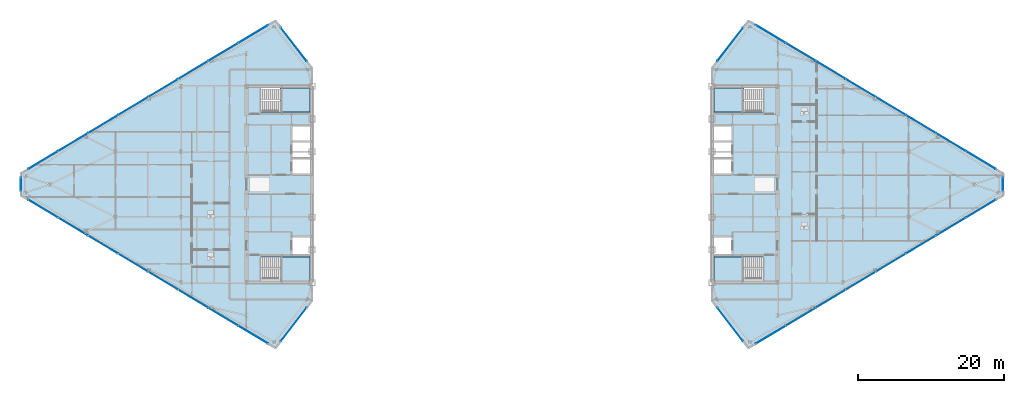
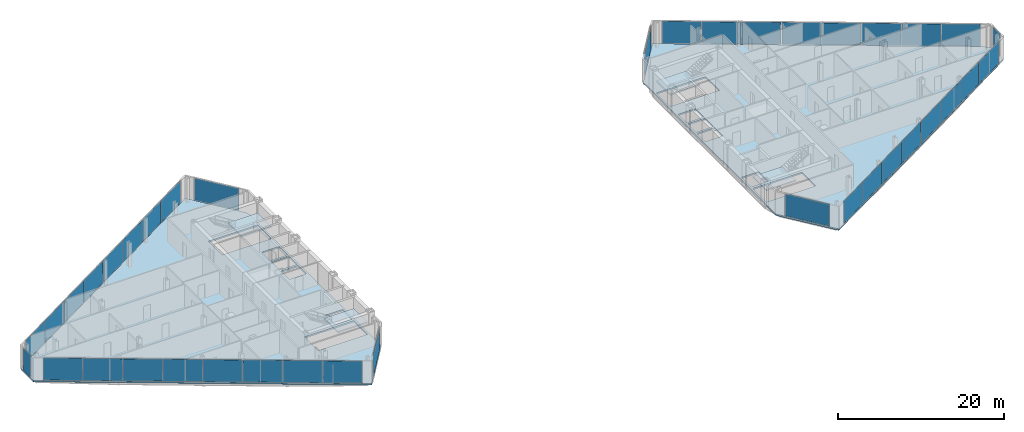
# One storey, part 18 of 26: 38 plates, 6 slabs, 14 elements without a shape of their own.
"""IFC4 building model written with IfcOpenShell, lengths in metres."""

from ifc_helpers import new_model, si_unit, direction, frame, origin, origin_2d, place, context, subcontext, project, spatial, polyline, rectangle, outline, extrude, source, transform, mapped, material, layer, layer_set, type_object, type_shapes, element, aggregate, save


model = new_model("IFC4")

# Units and contexts
model_context = context("Model", 3, precision=1e-05, world=origin(), true_north=direction((0.0, 1.0)))
body_context = subcontext(model_context, "Body", "Model", "MODEL_VIEW")
ifc_project = project(units=[si_unit("LENGTHUNIT", "METRE"), si_unit("AREAUNIT", "SQUARE_METRE"), si_unit("VOLUMEUNIT", "CUBIC_METRE"), si_unit("PLANEANGLEUNIT", "RADIAN"), si_unit("MASSUNIT", "GRAM", prefix="KILO")], contexts=[model_context])

# Site, building, storey
site_placement = place(None, origin())
site = spatial("IfcSite", under=ifc_project, at=site_placement, CompositionType="ELEMENT")
building_placement = place(site_placement, origin())
building = spatial("IfcBuilding", under=site, at=building_placement, Name="Seokmaru Belvedere", CompositionType="ELEMENT")
storey_placement = place(building_placement, frame((0.0, 0.0, 199.5)))
storey = spatial("IfcBuildingStorey", under=building, at=storey_placement, Name="L53", CompositionType="ELEMENT", Elevation=199.5)

# Stair, slab
ifc_material_1 = material(Name="Concrete C40 (40 MPa)", Category="concrete")
stair_type = type_object("IfcStairType", Name="Typical Tower Core Dog-Leg Stair 3600", PredefinedType="TWO_STRAIGHT_RUN_STAIR", material=ifc_material_1)
stair_1_placement = place(storey_placement, origin())
stair_1 = element("IfcStair", 1, at=stair_1_placement, inside=storey, type_object=stair_type, Name="L53 Special Escape Stair ST-W1", PredefinedType="TWO_STRAIGHT_RUN_STAIR")
ifc_layer_1 = layer(ifc_material_1, 0.199951171875)
ifc_layer_set_1 = layer_set([ifc_layer_1], Name="Concrete C40 (40 MPa)")
slab_type_1 = type_object("IfcSlabType", Name="Reinforced Concrete Stair Landing Slab 200", PredefinedType="LANDING", material=ifc_layer_set_1)
slab_1_placement = place(storey_placement, frame((0.0, 0.0, 1.60009765625)))
slab_1 = element("IfcSlab", 2, at=slab_1_placement, type_object=slab_type_1, Name="ST-W1 landing 1", PredefinedType="LANDING", context=body_context, shape_type="SweptSolid", body=[
    extrude(outline(polyline([(-31.8798828125, -13.239990234375), (-27.760009765625, -13.239990234375), (-27.760009765625, -9.949951171875), (-31.8798828125, -9.949951171875), (-31.8798828125, -13.239990234375)])), origin(), (0.0, 0.0, 1.0), 0.199951171875),
])
aggregate(stair_1, [slab_1])

stair_2_placement = place(storey_placement, origin())
stair_2 = element("IfcStair", 3, at=stair_2_placement, inside=storey, type_object=stair_type, Name="L53 Special Escape Stair ST-W2", PredefinedType="TWO_STRAIGHT_RUN_STAIR")
slab_2_placement = place(storey_placement, frame((0.0, 0.0, 1.60009765625)))
slab_2 = element("IfcSlab", 4, at=slab_2_placement, type_object=slab_type_1, Name="ST-W2 landing 1", PredefinedType="LANDING", context=body_context, shape_type="SweptSolid", body=[
    extrude(outline(polyline([(-31.8798828125, 9.949951171875), (-27.760009765625, 9.949951171875), (-27.760009765625, 13.239990234375), (-31.8798828125, 13.239990234375), (-31.8798828125, 9.949951171875)])), origin(), (0.0, 0.0, 1.0), 0.199951171875),
])
aggregate(stair_2, [slab_2])

stair_3_placement = place(storey_placement, origin())
stair_3 = element("IfcStair", 5, at=stair_3_placement, inside=storey, type_object=stair_type, Name="L53 Special Escape Stair ST-E1", PredefinedType="TWO_STRAIGHT_RUN_STAIR")
slab_3_placement = place(storey_placement, frame((0.0, 0.0, 1.60009765625)))
slab_3 = element("IfcSlab", 6, at=slab_3_placement, type_object=slab_type_1, Name="ST-E1 landing 1", PredefinedType="LANDING", context=body_context, shape_type="SweptSolid", body=[
    extrude(outline(polyline([(27.760009765625, -13.239990234375), (31.8798828125, -13.239990234375), (31.8798828125, -9.949951171875), (27.760009765625, -9.949951171875), (27.760009765625, -13.239990234375)])), origin(), (0.0, 0.0, 1.0), 0.199951171875),
])
aggregate(stair_3, [slab_3])

stair_4_placement = place(storey_placement, origin())
stair_4 = element("IfcStair", 7, at=stair_4_placement, inside=storey, type_object=stair_type, Name="L53 Special Escape Stair ST-E2", PredefinedType="TWO_STRAIGHT_RUN_STAIR")
slab_4_placement = place(storey_placement, frame((0.0, 0.0, 1.60009765625)))
slab_4 = element("IfcSlab", 8, at=slab_4_placement, type_object=slab_type_1, Name="ST-E2 landing 1", PredefinedType="LANDING", context=body_context, shape_type="SweptSolid", body=[
    extrude(outline(polyline([(27.760009765625, 9.949951171875), (31.8798828125, 9.949951171875), (31.8798828125, 13.239990234375), (27.760009765625, 13.239990234375), (27.760009765625, 9.949951171875)])), origin(), (0.0, 0.0, 1.0), 0.199951171875),
])
aggregate(stair_4, [slab_4])

# Slabs
ifc_layer_2 = layer(ifc_material_1, 0.219970703125)
ifc_layer_set_2 = layer_set([ifc_layer_2], Name="Concrete C40 (40 MPa)")
slab_type_2 = type_object("IfcSlabType", Name="Typical Tower Composite Floor Slab 220", PredefinedType="FLOOR", material=ifc_layer_set_2)
slab_5_placement = place(storey_placement, frame((0.0, 0.0, -0.219970703125)))
element("IfcSlab", 9, at=slab_5_placement, inside=storey, type_object=slab_type_2, Name="L53 West Leg Floor Slab", PredefinedType="FLOOR", context=body_context, shape_type="SweptSolid", body=[
    extrude(outline(polyline([(-27.5, -16.0), (-27.5, 16.0), (-32.5, 22.5), (-67.5, 1.5), (-67.5, -1.5), (-32.5, -22.5), (-27.5, -16.0)]), holes=[polyline([(-34.60009765625, -13.25), (-27.75, -13.25), (-27.75, -9.949951171875), (-34.60009765625, -9.949951171875), (-34.60009765625, -13.25)]), polyline([(-34.60009765625, 9.949951171875), (-27.75, 9.949951171875), (-27.75, 13.25), (-34.60009765625, 13.25), (-34.60009765625, 9.949951171875)]), polyline([(-30.14990234375, -9.550048828125), (-27.75, -9.550048828125), (-27.75, -7.25), (-30.14990234375, -7.25), (-30.14990234375, -9.550048828125)]), polyline([(-30.14990234375, 1.449951171875), (-27.75, 1.449951171875), (-27.75, 3.449951171875), (-30.14990234375, 3.449951171875), (-30.14990234375, 1.449951171875)]), polyline([(-30.14990234375, 3.75), (-27.75, 3.75), (-27.75, 5.75), (-30.14990234375, 5.75), (-30.14990234375, 3.75)]), polyline([(-30.14990234375, 6.050048828125), (-27.75, 6.050048828125), (-27.75, 8.050048828125), (-30.14990234375, 8.050048828125), (-30.14990234375, 6.050048828125)])]), origin(), (0.0, 0.0, 1.0), 0.219970703125),
])
slab_6_placement = place(storey_placement, frame((0.0, 0.0, -0.219970703125)))
element("IfcSlab", 10, at=slab_6_placement, inside=storey, type_object=slab_type_2, Name="L53 East Leg Floor Slab", PredefinedType="FLOOR", context=body_context, shape_type="SweptSolid", body=[
    extrude(outline(polyline([(32.5, -22.5), (67.5, -1.5), (67.5, 1.5), (32.5, 22.5), (27.5, 16.0), (27.5, -16.0), (32.5, -22.5)]), holes=[polyline([(27.75, -13.25), (34.60009765625, -13.25), (34.60009765625, -9.949951171875), (27.75, -9.949951171875), (27.75, -13.25)]), polyline([(27.75, 9.949951171875), (34.60009765625, 9.949951171875), (34.60009765625, 13.25), (27.75, 13.25), (27.75, 9.949951171875)]), polyline([(27.75, -9.550048828125), (30.14990234375, -9.550048828125), (30.14990234375, -7.25), (27.75, -7.25), (27.75, -9.550048828125)]), polyline([(27.75, 1.449951171875), (30.14990234375, 1.449951171875), (30.14990234375, 3.449951171875), (27.75, 3.449951171875), (27.75, 1.449951171875)]), polyline([(27.75, 3.75), (30.14990234375, 3.75), (30.14990234375, 5.75), (27.75, 5.75), (27.75, 3.75)]), polyline([(27.75, 6.050048828125), (30.14990234375, 6.050048828125), (30.14990234375, 8.050048828125), (27.75, 8.050048828125), (27.75, 6.050048828125)])]), origin(), (0.0, 0.0, 1.0), 0.219970703125),
])

# Curtain wall, plate
ifc_material_2 = material(Name="Bronze Triple Insulating Glass", Category="glass")
ifc_layer_3 = layer(ifc_material_2, 0.179931640625)
ifc_layer_set_3 = layer_set([ifc_layer_3], Name="Bronze Triple Insulating Glass")
curtain_wall_type = type_object("IfcCurtainWallType", Name="High-Rise Wind-Corner Curtain Wall System CW-5", PredefinedType="NOTDEFINED", material=ifc_layer_set_3)
curtain_wall_1_placement = place(storey_placement, origin())
curtain_wall_1 = element("IfcCurtainWall", 11, at=curtain_wall_1_placement, inside=storey, type_object=curtain_wall_type, Name="L53 Curtain Wall WF2", PredefinedType="NOTDEFINED")
ifc_layer_4 = layer(ifc_material_2, 0.035888671875)
ifc_layer_set_4 = layer_set([ifc_layer_4], Name="Bronze Triple Insulating Glass")
plate_type = type_object("IfcPlateType", Name="Bronze Triple Vision Glazing Panel 36", PredefinedType="CURTAIN_PANEL", material=ifc_layer_set_4)
shared_shape_1 = source(origin(), body_context, "Body", "SweptSolid", [
    extrude(rectangle(XDim=5.7705078125, YDim=0.035888671875, at=origin_2d()), origin(), (0.0, 0.0, 1.0), 3.25),
])
plate_1_placement = place(storey_placement, frame((-30.0, 19.25, 0.06494140625), z_axis=(0.0, 0.0, 1.0), x_axis=(-0.609701187349, 0.792631353244, 0.0)))
plate_1 = element("IfcPlate", 12, at=plate_1_placement, type_object=plate_type, Name="CW:L53:WF2 Glazing Panel 1-1", PredefinedType="CURTAIN_PANEL", context=body_context, shape_type="MappedRepresentation", body=[
    mapped(shared_shape_1, transform((0.0, 0.0, 0.0), scale=1.0)),
])
aggregate(curtain_wall_1, [plate_1])

curtain_wall_2_placement = place(storey_placement, origin())
curtain_wall_2 = element("IfcCurtainWall", 13, at=curtain_wall_2_placement, inside=storey, type_object=curtain_wall_type, Name="L53 Curtain Wall WF6", PredefinedType="NOTDEFINED")
plate_2_placement = place(storey_placement, frame((-30.0, -19.25, 0.06494140625), z_axis=(0.0, 0.0, 1.0), x_axis=(0.609701187349, 0.792631353244, 0.0)))
plate_2 = element("IfcPlate", 14, at=plate_2_placement, type_object=plate_type, Name="CW:L53:WF6 Glazing Panel 1-1", PredefinedType="CURTAIN_PANEL", context=body_context, shape_type="MappedRepresentation", body=[
    mapped(shared_shape_1, transform((0.0, 0.0, 0.0), scale=1.0)),
])
aggregate(curtain_wall_2, [plate_2])

curtain_wall_3_placement = place(storey_placement, origin())
curtain_wall_3 = element("IfcCurtainWall", 15, at=curtain_wall_3_placement, inside=storey, type_object=curtain_wall_type, Name="L53 Curtain Wall EF4", PredefinedType="NOTDEFINED")
plate_3_placement = place(storey_placement, frame((30.0, 19.25, 0.06494140625), z_axis=(0.0, 0.0, 1.0), x_axis=(-0.609701187349, -0.792631353244, 0.0)))
plate_3 = element("IfcPlate", 16, at=plate_3_placement, type_object=plate_type, Name="CW:L53:EF4 Glazing Panel 1-1", PredefinedType="CURTAIN_PANEL", context=body_context, shape_type="MappedRepresentation", body=[
    mapped(shared_shape_1, transform((0.0, 0.0, 0.0), scale=1.0)),
])
aggregate(curtain_wall_3, [plate_3])

curtain_wall_4_placement = place(storey_placement, origin())
curtain_wall_4 = element("IfcCurtainWall", 17, at=curtain_wall_4_placement, inside=storey, type_object=curtain_wall_type, Name="L53 Curtain Wall EF6", PredefinedType="NOTDEFINED")
plate_4_placement = place(storey_placement, frame((30.0, -19.25, 0.06494140625), z_axis=(0.0, 0.0, 1.0), x_axis=(0.609701187349, -0.792631353244, 0.0)))
plate_4 = element("IfcPlate", 18, at=plate_4_placement, type_object=plate_type, Name="CW:L53:EF6 Glazing Panel 1-1", PredefinedType="CURTAIN_PANEL", context=body_context, shape_type="MappedRepresentation", body=[
    mapped(shared_shape_1, transform((0.0, 0.0, 0.0), scale=1.0)),
])
aggregate(curtain_wall_4, [plate_4])

# Curtain wall, plates
curtain_wall_5_placement = place(storey_placement, origin())
curtain_wall_5 = element("IfcCurtainWall", 19, at=curtain_wall_5_placement, inside=storey, type_object=curtain_wall_type, Name="L53 Curtain Wall WF3", PredefinedType="NOTDEFINED")
shared_shape_2 = source(origin(), body_context, "Body", "SweptSolid", [
    extrude(rectangle(XDim=4.717041015625, YDim=0.035888671875, at=origin_2d()), origin(), (0.0, 0.0, 1.0), 3.25),
])
plate_5_placement = place(storey_placement, frame((-35.564208984375, 20.661376953125, 0.06494140625), z_axis=(0.0, 0.0, 1.0), x_axis=(-0.85749343335, -0.514494909364, 0.0)))
plate_5 = element("IfcPlate", 20, at=plate_5_placement, type_object=plate_type, Name="CW:L53:WF3 Glazing Panel 1-1", PredefinedType="CURTAIN_PANEL", context=body_context, shape_type="MappedRepresentation", body=[
    mapped(shared_shape_2, transform((0.0, 0.0, 0.0), scale=1.0)),
])
plate_6_placement = place(storey_placement, frame((-64.435791015625, 3.338623046875, 0.06494140625), z_axis=(0.0, 0.0, 1.0), x_axis=(-0.85749343335, -0.514494909364, 0.0)))
plate_6 = element("IfcPlate", 21, at=plate_6_placement, type_object=plate_type, Name="CW:L53:WF3 Glazing Panel 8-1", PredefinedType="CURTAIN_PANEL", context=body_context, shape_type="MappedRepresentation", body=[
    mapped(shared_shape_2, transform((0.0, 0.0, 0.0), scale=1.0)),
])

curtain_wall_6_placement = place(storey_placement, origin())
curtain_wall_6 = element("IfcCurtainWall", 22, at=curtain_wall_6_placement, inside=storey, type_object=curtain_wall_type, Name="L53 Curtain Wall WF5", PredefinedType="NOTDEFINED")
plate_7_placement = place(storey_placement, frame((-64.435791015625, -3.338623046875, 0.06494140625), z_axis=(0.0, 0.0, 1.0), x_axis=(0.85749343335, -0.514494909364, 0.0)))
plate_7 = element("IfcPlate", 23, at=plate_7_placement, type_object=plate_type, Name="CW:L53:WF5 Glazing Panel 1-1", PredefinedType="CURTAIN_PANEL", context=body_context, shape_type="MappedRepresentation", body=[
    mapped(shared_shape_2, transform((0.0, 0.0, 0.0), scale=1.0)),
])
plate_8_placement = place(storey_placement, frame((-35.564208984375, -20.661376953125, 0.06494140625), z_axis=(0.0, 0.0, 1.0), x_axis=(0.85749343335, -0.514494909364, 0.0)))
plate_8 = element("IfcPlate", 24, at=plate_8_placement, type_object=plate_type, Name="CW:L53:WF5 Glazing Panel 8-1", PredefinedType="CURTAIN_PANEL", context=body_context, shape_type="MappedRepresentation", body=[
    mapped(shared_shape_2, transform((0.0, 0.0, 0.0), scale=1.0)),
])

curtain_wall_7_placement = place(storey_placement, origin())
curtain_wall_7 = element("IfcCurtainWall", 25, at=curtain_wall_7_placement, inside=storey, type_object=curtain_wall_type, Name="L53 Curtain Wall EF1", PredefinedType="NOTDEFINED")
plate_9_placement = place(storey_placement, frame((35.564208984375, -20.661376953125, 0.06494140625), z_axis=(0.0, 0.0, 1.0), x_axis=(0.85749343335, 0.514494909364, 0.0)))
plate_9 = element("IfcPlate", 26, at=plate_9_placement, type_object=plate_type, Name="CW:L53:EF1 Glazing Panel 1-1", PredefinedType="CURTAIN_PANEL", context=body_context, shape_type="MappedRepresentation", body=[
    mapped(shared_shape_2, transform((0.0, 0.0, 0.0), scale=1.0)),
])
plate_10_placement = place(storey_placement, frame((64.435791015625, -3.338623046875, 0.06494140625), z_axis=(0.0, 0.0, 1.0), x_axis=(0.85749343335, 0.514494909364, 0.0)))
plate_10 = element("IfcPlate", 27, at=plate_10_placement, type_object=plate_type, Name="CW:L53:EF1 Glazing Panel 8-1", PredefinedType="CURTAIN_PANEL", context=body_context, shape_type="MappedRepresentation", body=[
    mapped(shared_shape_2, transform((0.0, 0.0, 0.0), scale=1.0)),
])

curtain_wall_8_placement = place(storey_placement, origin())
curtain_wall_8 = element("IfcCurtainWall", 28, at=curtain_wall_8_placement, inside=storey, type_object=curtain_wall_type, Name="L53 Curtain Wall EF3", PredefinedType="NOTDEFINED")
plate_11_placement = place(storey_placement, frame((64.435791015625, 3.338623046875, 0.06494140625), z_axis=(0.0, 0.0, 1.0), x_axis=(-0.85749343335, 0.514494909364, 0.0)))
plate_11 = element("IfcPlate", 29, at=plate_11_placement, type_object=plate_type, Name="CW:L53:EF3 Glazing Panel 1-1", PredefinedType="CURTAIN_PANEL", context=body_context, shape_type="MappedRepresentation", body=[
    mapped(shared_shape_2, transform((0.0, 0.0, 0.0), scale=1.0)),
])
plate_12_placement = place(storey_placement, frame((35.564208984375, 20.661376953125, 0.06494140625), z_axis=(0.0, 0.0, 1.0), x_axis=(-0.85749343335, 0.514494909364, 0.0)))
plate_12 = element("IfcPlate", 30, at=plate_12_placement, type_object=plate_type, Name="CW:L53:EF3 Glazing Panel 8-1", PredefinedType="CURTAIN_PANEL", context=body_context, shape_type="MappedRepresentation", body=[
    mapped(shared_shape_2, transform((0.0, 0.0, 0.0), scale=1.0)),
])

# Plate
shared_shape_3 = source(origin(), body_context, "Body", "SweptSolid", [
    extrude(rectangle(XDim=4.74951171875, YDim=0.035888671875, at=origin_2d()), origin(), (0.0, 0.0, 1.0), 3.25),
])
plate_13_placement = place(storey_placement, frame((-39.6787109375, 18.192626953125, 0.06494140625), z_axis=(0.0, 0.0, 1.0), x_axis=(-0.85749343335, -0.514494909364, 0.0)))
plate_13 = element("IfcPlate", 31, at=plate_13_placement, type_object=plate_type, Name="CW:L53:WF3 Glazing Panel 2-1", PredefinedType="CURTAIN_PANEL", context=body_context, shape_type="MappedRepresentation", body=[
    mapped(shared_shape_3, transform((0.0, 0.0, 0.0), scale=1.0)),
])

plate_14_placement = place(storey_placement, frame((-43.807373046875, 15.715576171875, 0.06494140625), z_axis=(0.0, 0.0, 1.0), x_axis=(-0.85749343335, -0.514494909364, 0.0)))
plate_14 = element("IfcPlate", 32, at=plate_14_placement, type_object=plate_type, Name="CW:L53:WF3 Glazing Panel 3-1", PredefinedType="CURTAIN_PANEL", context=body_context, shape_type="MappedRepresentation", body=[
    mapped(shared_shape_3, transform((0.0, 0.0, 0.0), scale=1.0)),
])

plate_15_placement = place(storey_placement, frame((-47.935791015625, 13.238525390625, 0.06494140625), z_axis=(0.0, 0.0, 1.0), x_axis=(-0.85749343335, -0.514494909364, 0.0)))
plate_15 = element("IfcPlate", 33, at=plate_15_placement, type_object=plate_type, Name="CW:L53:WF3 Glazing Panel 4-1", PredefinedType="CURTAIN_PANEL", context=body_context, shape_type="MappedRepresentation", body=[
    mapped(shared_shape_3, transform((0.0, 0.0, 0.0), scale=1.0)),
])

plate_16_placement = place(storey_placement, frame((-52.064208984375, 10.761474609375, 0.06494140625), z_axis=(0.0, 0.0, 1.0), x_axis=(-0.85749343335, -0.514494909364, 0.0)))
plate_16 = element("IfcPlate", 34, at=plate_16_placement, type_object=plate_type, Name="CW:L53:WF3 Glazing Panel 5-1", PredefinedType="CURTAIN_PANEL", context=body_context, shape_type="MappedRepresentation", body=[
    mapped(shared_shape_3, transform((0.0, 0.0, 0.0), scale=1.0)),
])

plate_17_placement = place(storey_placement, frame((-56.192626953125, 8.284423828125, 0.06494140625), z_axis=(0.0, 0.0, 1.0), x_axis=(-0.85749343335, -0.514494909364, 0.0)))
plate_17 = element("IfcPlate", 35, at=plate_17_placement, type_object=plate_type, Name="CW:L53:WF3 Glazing Panel 6-1", PredefinedType="CURTAIN_PANEL", context=body_context, shape_type="MappedRepresentation", body=[
    mapped(shared_shape_3, transform((0.0, 0.0, 0.0), scale=1.0)),
])

plate_18_placement = place(storey_placement, frame((-60.3212890625, 5.807373046875, 0.06494140625), z_axis=(0.0, 0.0, 1.0), x_axis=(-0.85749343335, -0.514494909364, 0.0)))
plate_18 = element("IfcPlate", 36, at=plate_18_placement, type_object=plate_type, Name="CW:L53:WF3 Glazing Panel 7-1", PredefinedType="CURTAIN_PANEL", context=body_context, shape_type="MappedRepresentation", body=[
    mapped(shared_shape_3, transform((0.0, 0.0, 0.0), scale=1.0)),
])

aggregate(curtain_wall_5, [plate_5, plate_13, plate_14, plate_15, plate_16, plate_17, plate_18, plate_6])

plate_19_placement = place(storey_placement, frame((-60.3212890625, -5.807373046875, 0.06494140625), z_axis=(0.0, 0.0, 1.0), x_axis=(0.85749343335, -0.514494909364, 0.0)))
plate_19 = element("IfcPlate", 37, at=plate_19_placement, type_object=plate_type, Name="CW:L53:WF5 Glazing Panel 2-1", PredefinedType="CURTAIN_PANEL", context=body_context, shape_type="MappedRepresentation", body=[
    mapped(shared_shape_3, transform((0.0, 0.0, 0.0), scale=1.0)),
])

plate_20_placement = place(storey_placement, frame((-56.192626953125, -8.284423828125, 0.06494140625), z_axis=(0.0, 0.0, 1.0), x_axis=(0.85749343335, -0.514494909364, 0.0)))
plate_20 = element("IfcPlate", 38, at=plate_20_placement, type_object=plate_type, Name="CW:L53:WF5 Glazing Panel 3-1", PredefinedType="CURTAIN_PANEL", context=body_context, shape_type="MappedRepresentation", body=[
    mapped(shared_shape_3, transform((0.0, 0.0, 0.0), scale=1.0)),
])

plate_21_placement = place(storey_placement, frame((-52.064208984375, -10.761474609375, 0.06494140625), z_axis=(0.0, 0.0, 1.0), x_axis=(0.85749343335, -0.514494909364, 0.0)))
plate_21 = element("IfcPlate", 39, at=plate_21_placement, type_object=plate_type, Name="CW:L53:WF5 Glazing Panel 4-1", PredefinedType="CURTAIN_PANEL", context=body_context, shape_type="MappedRepresentation", body=[
    mapped(shared_shape_3, transform((0.0, 0.0, 0.0), scale=1.0)),
])

plate_22_placement = place(storey_placement, frame((-47.935791015625, -13.238525390625, 0.06494140625), z_axis=(0.0, 0.0, 1.0), x_axis=(0.85749343335, -0.514494909364, 0.0)))
plate_22 = element("IfcPlate", 40, at=plate_22_placement, type_object=plate_type, Name="CW:L53:WF5 Glazing Panel 5-1", PredefinedType="CURTAIN_PANEL", context=body_context, shape_type="MappedRepresentation", body=[
    mapped(shared_shape_3, transform((0.0, 0.0, 0.0), scale=1.0)),
])

plate_23_placement = place(storey_placement, frame((-43.807373046875, -15.715576171875, 0.06494140625), z_axis=(0.0, 0.0, 1.0), x_axis=(0.85749343335, -0.514494909364, 0.0)))
plate_23 = element("IfcPlate", 41, at=plate_23_placement, type_object=plate_type, Name="CW:L53:WF5 Glazing Panel 6-1", PredefinedType="CURTAIN_PANEL", context=body_context, shape_type="MappedRepresentation", body=[
    mapped(shared_shape_3, transform((0.0, 0.0, 0.0), scale=1.0)),
])

plate_24_placement = place(storey_placement, frame((-39.6787109375, -18.192626953125, 0.06494140625), z_axis=(0.0, 0.0, 1.0), x_axis=(0.85749343335, -0.514494909364, 0.0)))
plate_24 = element("IfcPlate", 42, at=plate_24_placement, type_object=plate_type, Name="CW:L53:WF5 Glazing Panel 7-1", PredefinedType="CURTAIN_PANEL", context=body_context, shape_type="MappedRepresentation", body=[
    mapped(shared_shape_3, transform((0.0, 0.0, 0.0), scale=1.0)),
])

aggregate(curtain_wall_6, [plate_7, plate_19, plate_20, plate_21, plate_22, plate_23, plate_24, plate_8])

plate_25_placement = place(storey_placement, frame((39.6787109375, -18.192626953125, 0.06494140625), z_axis=(0.0, 0.0, 1.0), x_axis=(0.85749343335, 0.514494909364, 0.0)))
plate_25 = element("IfcPlate", 43, at=plate_25_placement, type_object=plate_type, Name="CW:L53:EF1 Glazing Panel 2-1", PredefinedType="CURTAIN_PANEL", context=body_context, shape_type="MappedRepresentation", body=[
    mapped(shared_shape_3, transform((0.0, 0.0, 0.0), scale=1.0)),
])

plate_26_placement = place(storey_placement, frame((43.807373046875, -15.715576171875, 0.06494140625), z_axis=(0.0, 0.0, 1.0), x_axis=(0.85749343335, 0.514494909364, 0.0)))
plate_26 = element("IfcPlate", 44, at=plate_26_placement, type_object=plate_type, Name="CW:L53:EF1 Glazing Panel 3-1", PredefinedType="CURTAIN_PANEL", context=body_context, shape_type="MappedRepresentation", body=[
    mapped(shared_shape_3, transform((0.0, 0.0, 0.0), scale=1.0)),
])

plate_27_placement = place(storey_placement, frame((47.935791015625, -13.238525390625, 0.06494140625), z_axis=(0.0, 0.0, 1.0), x_axis=(0.85749343335, 0.514494909364, 0.0)))
plate_27 = element("IfcPlate", 45, at=plate_27_placement, type_object=plate_type, Name="CW:L53:EF1 Glazing Panel 4-1", PredefinedType="CURTAIN_PANEL", context=body_context, shape_type="MappedRepresentation", body=[
    mapped(shared_shape_3, transform((0.0, 0.0, 0.0), scale=1.0)),
])

plate_28_placement = place(storey_placement, frame((52.064208984375, -10.761474609375, 0.06494140625), z_axis=(0.0, 0.0, 1.0), x_axis=(0.85749343335, 0.514494909364, 0.0)))
plate_28 = element("IfcPlate", 46, at=plate_28_placement, type_object=plate_type, Name="CW:L53:EF1 Glazing Panel 5-1", PredefinedType="CURTAIN_PANEL", context=body_context, shape_type="MappedRepresentation", body=[
    mapped(shared_shape_3, transform((0.0, 0.0, 0.0), scale=1.0)),
])

plate_29_placement = place(storey_placement, frame((56.192626953125, -8.284423828125, 0.06494140625), z_axis=(0.0, 0.0, 1.0), x_axis=(0.85749343335, 0.514494909364, 0.0)))
plate_29 = element("IfcPlate", 47, at=plate_29_placement, type_object=plate_type, Name="CW:L53:EF1 Glazing Panel 6-1", PredefinedType="CURTAIN_PANEL", context=body_context, shape_type="MappedRepresentation", body=[
    mapped(shared_shape_3, transform((0.0, 0.0, 0.0), scale=1.0)),
])

plate_30_placement = place(storey_placement, frame((60.3212890625, -5.807373046875, 0.06494140625), z_axis=(0.0, 0.0, 1.0), x_axis=(0.85749343335, 0.514494909364, 0.0)))
plate_30 = element("IfcPlate", 48, at=plate_30_placement, type_object=plate_type, Name="CW:L53:EF1 Glazing Panel 7-1", PredefinedType="CURTAIN_PANEL", context=body_context, shape_type="MappedRepresentation", body=[
    mapped(shared_shape_3, transform((0.0, 0.0, 0.0), scale=1.0)),
])

aggregate(curtain_wall_7, [plate_9, plate_25, plate_26, plate_27, plate_28, plate_29, plate_30, plate_10])

plate_31_placement = place(storey_placement, frame((60.3212890625, 5.807373046875, 0.06494140625), z_axis=(0.0, 0.0, 1.0), x_axis=(-0.85749343335, 0.514494909364, 0.0)))
plate_31 = element("IfcPlate", 49, at=plate_31_placement, type_object=plate_type, Name="CW:L53:EF3 Glazing Panel 2-1", PredefinedType="CURTAIN_PANEL", context=body_context, shape_type="MappedRepresentation", body=[
    mapped(shared_shape_3, transform((0.0, 0.0, 0.0), scale=1.0)),
])

plate_32_placement = place(storey_placement, frame((56.192626953125, 8.284423828125, 0.06494140625), z_axis=(0.0, 0.0, 1.0), x_axis=(-0.85749343335, 0.514494909364, 0.0)))
plate_32 = element("IfcPlate", 50, at=plate_32_placement, type_object=plate_type, Name="CW:L53:EF3 Glazing Panel 3-1", PredefinedType="CURTAIN_PANEL", context=body_context, shape_type="MappedRepresentation", body=[
    mapped(shared_shape_3, transform((0.0, 0.0, 0.0), scale=1.0)),
])

plate_33_placement = place(storey_placement, frame((52.064208984375, 10.761474609375, 0.06494140625), z_axis=(0.0, 0.0, 1.0), x_axis=(-0.85749343335, 0.514494909364, 0.0)))
plate_33 = element("IfcPlate", 51, at=plate_33_placement, type_object=plate_type, Name="CW:L53:EF3 Glazing Panel 4-1", PredefinedType="CURTAIN_PANEL", context=body_context, shape_type="MappedRepresentation", body=[
    mapped(shared_shape_3, transform((0.0, 0.0, 0.0), scale=1.0)),
])

plate_34_placement = place(storey_placement, frame((47.935791015625, 13.238525390625, 0.06494140625), z_axis=(0.0, 0.0, 1.0), x_axis=(-0.85749343335, 0.514494909364, 0.0)))
plate_34 = element("IfcPlate", 52, at=plate_34_placement, type_object=plate_type, Name="CW:L53:EF3 Glazing Panel 5-1", PredefinedType="CURTAIN_PANEL", context=body_context, shape_type="MappedRepresentation", body=[
    mapped(shared_shape_3, transform((0.0, 0.0, 0.0), scale=1.0)),
])

plate_35_placement = place(storey_placement, frame((43.807373046875, 15.715576171875, 0.06494140625), z_axis=(0.0, 0.0, 1.0), x_axis=(-0.85749343335, 0.514494909364, 0.0)))
plate_35 = element("IfcPlate", 53, at=plate_35_placement, type_object=plate_type, Name="CW:L53:EF3 Glazing Panel 6-1", PredefinedType="CURTAIN_PANEL", context=body_context, shape_type="MappedRepresentation", body=[
    mapped(shared_shape_3, transform((0.0, 0.0, 0.0), scale=1.0)),
])

plate_36_placement = place(storey_placement, frame((39.6787109375, 18.192626953125, 0.06494140625), z_axis=(0.0, 0.0, 1.0), x_axis=(-0.85749343335, 0.514494909364, 0.0)))
plate_36 = element("IfcPlate", 54, at=plate_36_placement, type_object=plate_type, Name="CW:L53:EF3 Glazing Panel 7-1", PredefinedType="CURTAIN_PANEL", context=body_context, shape_type="MappedRepresentation", body=[
    mapped(shared_shape_3, transform((0.0, 0.0, 0.0), scale=1.0)),
])

aggregate(curtain_wall_8, [plate_11, plate_31, plate_32, plate_33, plate_34, plate_35, plate_36, plate_12])

# Curtain wall, plate
curtain_wall_9_placement = place(storey_placement, origin())
curtain_wall_9 = element("IfcCurtainWall", 55, at=curtain_wall_9_placement, inside=storey, type_object=curtain_wall_type, Name="L53 Curtain Wall WF4", PredefinedType="NOTDEFINED")
shared_shape_4 = source(origin(), body_context, "Body", "SweptSolid", [
    extrude(rectangle(XDim=1.77001953125, YDim=0.035888671875, at=origin_2d()), origin(), (0.0, 0.0, 1.0), 3.25),
])
type_shapes(plate_type, [shared_shape_1, shared_shape_2, shared_shape_3, shared_shape_4])
plate_37_placement = place(storey_placement, frame((-67.5, 0.0, 0.06494140625), z_axis=(0.0, 0.0, 1.0), x_axis=(0.0, -1.0, 0.0)))
plate_37 = element("IfcPlate", 56, at=plate_37_placement, type_object=plate_type, Name="CW:L53:WF4 Glazing Panel 1-1", PredefinedType="CURTAIN_PANEL", context=body_context, shape_type="MappedRepresentation", body=[
    mapped(shared_shape_4, transform((0.0, 0.0, 0.0), scale=1.0)),
])
aggregate(curtain_wall_9, [plate_37])

curtain_wall_10_placement = place(storey_placement, origin())
curtain_wall_10 = element("IfcCurtainWall", 57, at=curtain_wall_10_placement, inside=storey, type_object=curtain_wall_type, Name="L53 Curtain Wall EF2", PredefinedType="NOTDEFINED")
plate_38_placement = place(storey_placement, frame((67.5, 0.0, 0.06494140625), z_axis=(0.0, 0.0, 1.0), x_axis=(0.0, 1.0, 0.0)))
plate_38 = element("IfcPlate", 58, at=plate_38_placement, type_object=plate_type, Name="CW:L53:EF2 Glazing Panel 1-1", PredefinedType="CURTAIN_PANEL", context=body_context, shape_type="MappedRepresentation", body=[
    mapped(shared_shape_4, transform((0.0, 0.0, 0.0), scale=1.0)),
])
aggregate(curtain_wall_10, [plate_38])

save(model, "model.ifc")
